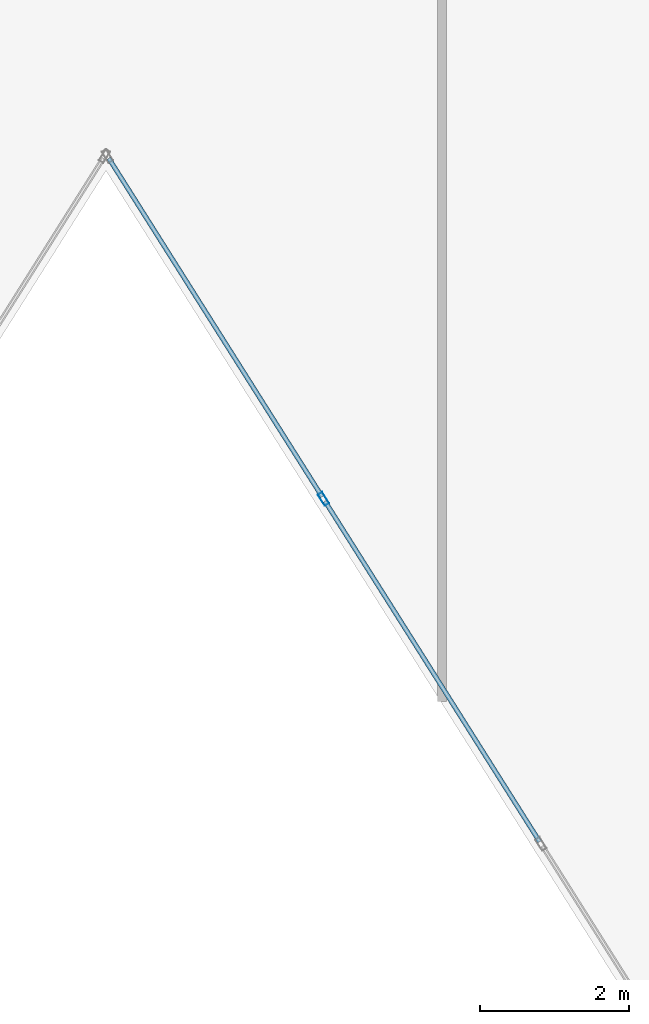
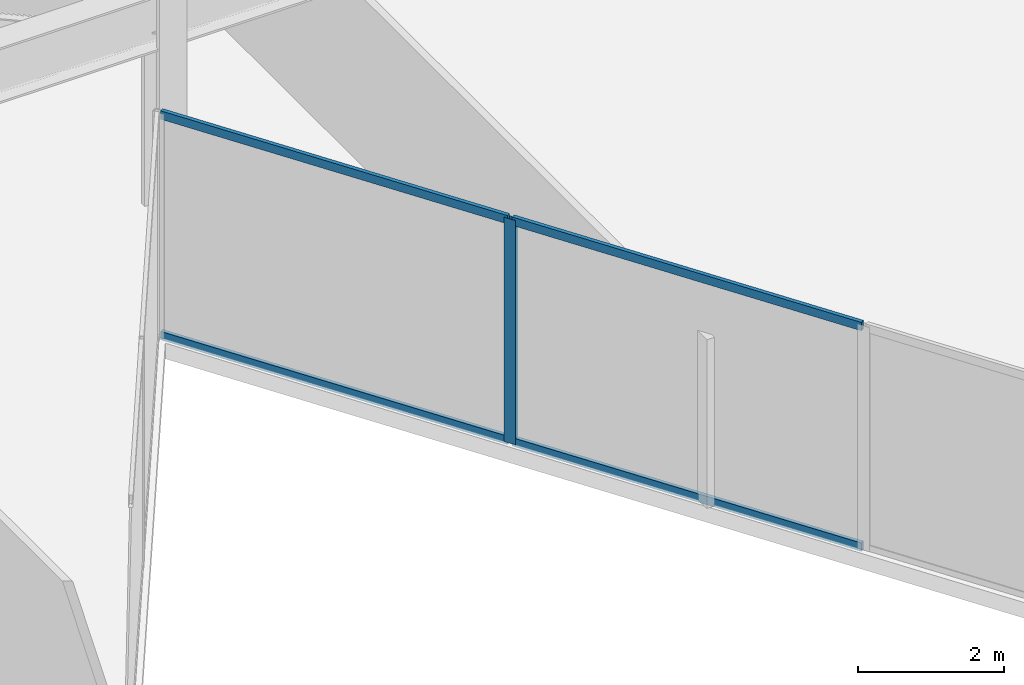
# One storey, part 15 of 24: 5 members, 1 element without a shape of its own.
"""IFC4 building model written with IfcOpenShell, lengths in metres."""

from ifc_helpers import new_model, si_unit, direction, frame, origin, origin_2d, place, context, subcontext, project, spatial, hollow_rectangle, extrude, material, layer, layer_set, material_profile, profile_set, type_object, element, aggregate, save


model = new_model("IFC4")

# Units and contexts
model_context = context("Model", 3, precision=1e-05, world=origin(), true_north=direction((0.0, 1.0)))
body_context = subcontext(model_context, "Body", "Model", "MODEL_VIEW")
ifc_project = project(units=[si_unit("LENGTHUNIT", "METRE"), si_unit("AREAUNIT", "SQUARE_METRE"), si_unit("VOLUMEUNIT", "CUBIC_METRE"), si_unit("PLANEANGLEUNIT", "RADIAN"), si_unit("MASSUNIT", "GRAM", prefix="KILO")], contexts=[model_context])

# Site, building, storey
site_placement = place(None, origin())
site = spatial("IfcSite", under=ifc_project, at=site_placement, CompositionType="ELEMENT")
building_placement = place(site_placement, origin())
building = spatial("IfcBuilding", under=site, at=building_placement, Name="Kravanh Interchange Tower", CompositionType="ELEMENT")
storey_placement = place(building_placement, frame((0.0, 0.0, 77.5)))
storey = spatial("IfcBuildingStorey", under=building, at=storey_placement, Name="L18", CompositionType="ELEMENT", Elevation=77.5)

# Curtain wall, members
ifc_material_1 = material(Name="Anodised Bronze Aluminium", Category="aluminium")
ifc_layer = layer(ifc_material_1, 0.179931640625)
ifc_layer_set = layer_set([ifc_layer], Name="Unitised Curtain Wall System CW-Z1 Lower Office")
curtain_wall_type = type_object("IfcCurtainWallType", Name="Unitised Curtain Wall System CW-Z1 Lower Office", PredefinedType="NOTDEFINED", material=ifc_layer_set)
curtain_wall_placement = place(storey_placement, origin())
curtain_wall = element("IfcCurtainWall", 1, at=curtain_wall_placement, inside=storey, type_object=curtain_wall_type, Name="L18 Unitised Curtain Wall CW-L18-04", PredefinedType="NOTDEFINED")
ifc_material_2 = material(Name="Anodised Bronze Aluminium", Category="aluminium")
ifc_material_profile_1 = material_profile(ifc_material_2, hollow_rectangle(XDim=0.070068359375, YDim=0.179931640625, WallThickness=0.00390625, at=origin_2d()), Name="ALU70X180X4")
ifc_profile_set_1 = profile_set([ifc_material_profile_1], Name="Anodised Bronze Aluminium")
member_type_1 = type_object("IfcMemberType", Name="Curtain Wall Mullion ALU70X180X4 Bronze", PredefinedType="MULLION", material=ifc_profile_set_1)
member_1_placement = place(storey_placement, frame((39.913330078125, 19.60400390625, 0.0), z_axis=(0.0, 0.0, 1.0), x_axis=(-0.845925530786, -0.53330103728, 0.0)))
member_1 = element("IfcMember", 2, at=member_1_placement, type_object=member_type_1, Name="CW-Z1 mullion 5", PredefinedType="MULLION", context=body_context, shape_type="SweptSolid", body=[
    extrude(hollow_rectangle(XDim=0.070068359375, YDim=0.179931640625, WallThickness=0.00390625, at=origin_2d()), origin(), (0.0, 0.0, 1.0), 3.739990234375),
])
ifc_material_3 = material(Name="Anodised Bronze Aluminium", Category="aluminium")
ifc_material_profile_2 = material_profile(ifc_material_3, hollow_rectangle(XDim=0.06005859375, YDim=0.139892578125, WallThickness=0.00390625, at=origin_2d()), Name="ALU60X140X4")
ifc_profile_set_2 = profile_set([ifc_material_profile_2], Name="Anodised Bronze Aluminium")
member_type_2 = type_object("IfcMemberType", Name="Curtain Wall Transom ALU60X140X4 Bronze", PredefinedType="USERDEFINED", material=ifc_profile_set_2)
member_2_placement = place(storey_placement, frame((42.807861328125, 15.0126953125, 0.030029296875), z_axis=(-0.533311487456, 0.84591894254, 0.0), x_axis=(-0.84591894254, -0.533311487456, 0.0)))
member_2 = element("IfcMember", 3, at=member_2_placement, type_object=member_type_2, Name="CW-Z1 transom 4.1", ObjectType="TRANSOM", PredefinedType="USERDEFINED", context=body_context, shape_type="SweptSolid", body=[
    extrude(hollow_rectangle(XDim=0.06005859375, YDim=0.139892578125, WallThickness=0.00390625, at=origin_2d()), origin(), (0.0, 0.0, 1.0), 5.392578125),
])
member_3_placement = place(storey_placement, frame((42.807861328125, 15.0126953125, 3.7099609375), z_axis=(-0.533311487456, 0.84591894254, 0.0), x_axis=(-0.84591894254, -0.533311487456, 0.0)))
member_3 = element("IfcMember", 4, at=member_3_placement, type_object=member_type_2, Name="CW-Z1 transom 4.2", ObjectType="TRANSOM", PredefinedType="USERDEFINED", context=body_context, shape_type="SweptSolid", body=[
    extrude(hollow_rectangle(XDim=0.06005859375, YDim=0.139892578125, WallThickness=0.00390625, at=origin_2d()), origin(), (0.0, 0.0, 1.0), 5.392578125),
])
member_4_placement = place(storey_placement, frame((39.89453125, 19.633544921875, 0.030029296875), z_axis=(-0.533288163518, 0.845933646719, 0.0), x_axis=(-0.845933646719, -0.533288163518, 0.0)))
member_4 = element("IfcMember", 5, at=member_4_placement, type_object=member_type_2, Name="CW-Z1 transom 5.1", ObjectType="TRANSOM", PredefinedType="USERDEFINED", context=body_context, shape_type="SweptSolid", body=[
    extrude(hollow_rectangle(XDim=0.06005859375, YDim=0.139892578125, WallThickness=0.00390625, at=origin_2d()), origin(), (0.0, 0.0, 1.0), 5.357666015625),
])
member_5_placement = place(storey_placement, frame((39.89453125, 19.633544921875, 3.7099609375), z_axis=(-0.533288163518, 0.845933646719, 0.0), x_axis=(-0.845933646719, -0.533288163518, 0.0)))
member_5 = element("IfcMember", 6, at=member_5_placement, type_object=member_type_2, Name="CW-Z1 transom 5.2", ObjectType="TRANSOM", PredefinedType="USERDEFINED", context=body_context, shape_type="SweptSolid", body=[
    extrude(hollow_rectangle(XDim=0.06005859375, YDim=0.139892578125, WallThickness=0.00390625, at=origin_2d()), origin(), (0.0, 0.0, 1.0), 5.357666015625),
])
aggregate(curtain_wall, [member_1, member_2, member_3, member_4, member_5])

save(model, "model.ifc")
